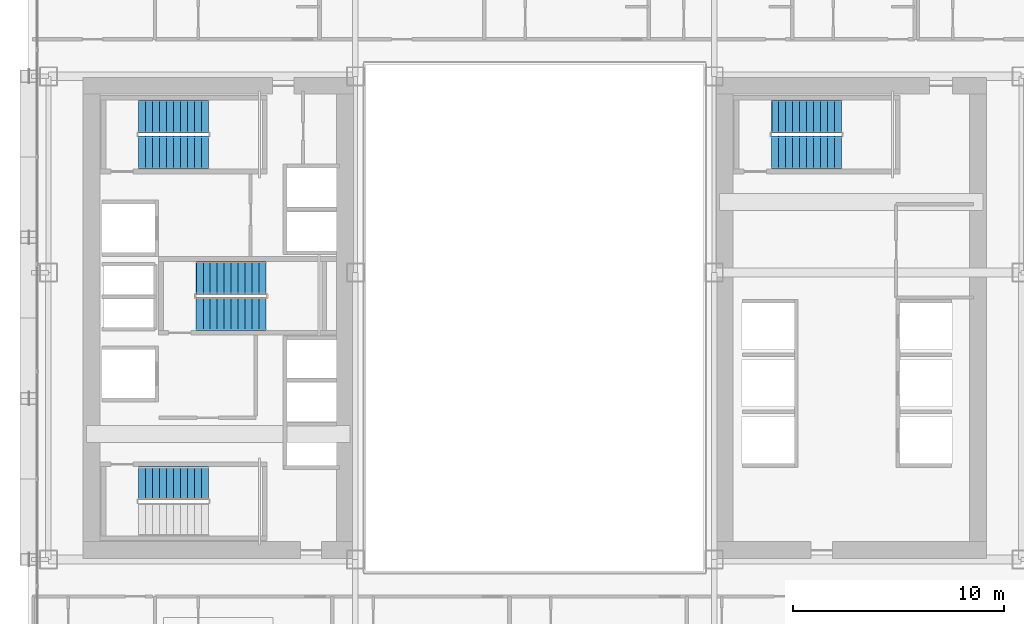
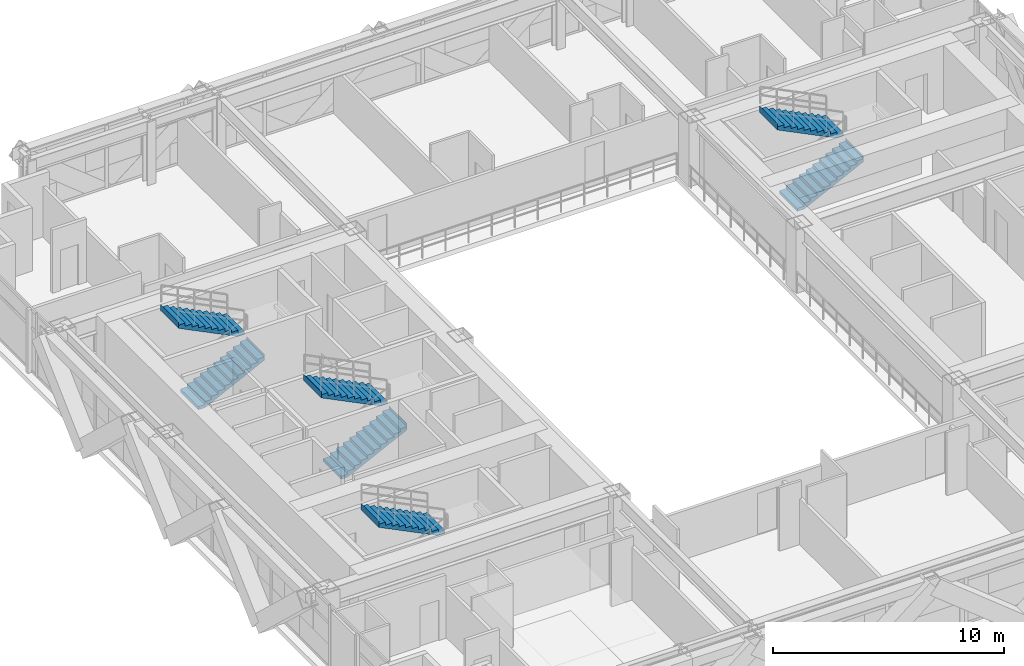
# One storey, part 34 of 38: 7 stair flights, 4 elements without a shape of their own.
"""IFC4 building model written with IfcOpenShell, lengths in metres."""

import ifcopenshell
import ifcopenshell.guid

model = None  # the IFC model being written
_history = None  # IfcOwnerHistory: only IFC2X3 demands one
_inside = {}  # id of a spatial element -> (the spatial element, [elements in it])
_under = {}  # id of a project, library or spatial element -> (it, [spatial elements below it])
_declared = {}  # id of a project -> (the project, [libraries it declares])
_typed = {}  # id of a type object -> (the type object, [elements of that type])
_made_of = {}  # id of a material, layer set ... -> (it, [elements and type objects made of it])


def new_model(schema):
    """Start an empty IFC model of exactly this schema.

    Asked for "IFC4X3", IfcOpenShell would pick the latest addendum, in which some entities
    have other attributes; the version numbers below select the first issue.
    IFC2X3 requires an IfcOwnerHistory on every rooted entity: one is made here for all.
    """
    global model, _history
    if schema == "IFC4X3":
        model = ifcopenshell.file(schema_version=(4, 3, 0, 0))
    else:
        model = ifcopenshell.file(schema=schema)
    _inside.clear()
    _under.clear()
    _declared.clear()
    _typed.clear()
    _made_of.clear()
    _history = None
    if model.schema == "IFC2X3":
        org = make("IfcOrganization", Name="unknown")
        user = make(
            "IfcPersonAndOrganization",
            ThePerson=make("IfcPerson", FamilyName="unknown"),
            TheOrganization=org,
        )
        app = make(
            "IfcApplication",
            ApplicationDeveloper=org,
            Version="unknown",
            ApplicationFullName="unknown",
            ApplicationIdentifier="unknown",
        )
        _history = make(
            "IfcOwnerHistory",
            OwningUser=user,
            OwningApplication=app,
            ChangeAction="ADDED",
            CreationDate=0,
        )
    return model


def make(cls, **values):
    """One entity of the class cls with the attributes given. An attribute that is None is left unset."""
    return model.create_entity(
        cls, **{name: value for name, value in values.items() if value is not None}
    )


def rooted(cls, **values):
    """An entity with a GlobalId (a new one), such as an element, a storey or a relation."""
    return make(cls, GlobalId=ifcopenshell.guid.new(), OwnerHistory=_history, **values)


def si_unit(unit_type, name, prefix=None):
    """IfcSIUnit, for example si_unit("LENGTHUNIT", "METRE", prefix="MILLI")."""
    return make("IfcSIUnit", UnitType=unit_type, Prefix=prefix, Name=name)


def assignment(units):
    """IfcUnitAssignment: the units of a project."""
    return None if units is None else make("IfcUnitAssignment", Units=units)


def point(xyz):
    """IfcCartesianPoint."""
    return None if xyz is None else make("IfcCartesianPoint", Coordinates=xyz)


def direction(xyz):
    """IfcDirection."""
    return None if xyz is None else make("IfcDirection", DirectionRatios=xyz)


def frame(location, z_axis=None, x_axis=None):
    """IfcAxis2Placement3D, a coordinate frame: its origin and axes. An axis left out is left unset."""
    return make(
        "IfcAxis2Placement3D",
        Location=point(location),
        Axis=direction(z_axis),
        RefDirection=direction(x_axis),
    )


def origin():
    """The frame at (0, 0, 0) with its axes left unset."""
    return frame((0.0, 0.0, 0.0))


def place(relative_to, where):
    """IfcLocalPlacement: puts the frame where relative to a parent placement (None: the world)."""
    return make(
        "IfcLocalPlacement", PlacementRelTo=relative_to, RelativePlacement=where
    )


def context(
    kind, dimensions, precision=None, world=None, true_north=None, identifier=None
):
    """IfcGeometricRepresentationContext, for example the 3D "Model" context."""
    return make(
        "IfcGeometricRepresentationContext",
        ContextIdentifier=identifier,
        ContextType=kind,
        CoordinateSpaceDimension=dimensions,
        Precision=precision,
        WorldCoordinateSystem=world,
        TrueNorth=true_north,
    )


def subcontext(parent, identifier, kind, view, scale=None):
    """IfcGeometricRepresentationSubContext, for example "Body" below "Model"."""
    return make(
        "IfcGeometricRepresentationSubContext",
        ContextIdentifier=identifier,
        ContextType=kind,
        ParentContext=parent,
        TargetScale=scale,
        TargetView=view,
    )


def project(units=None, contexts=None):
    """IfcProject with its units and contexts."""
    return rooted(
        "IfcProject",
        Name="project",
        RepresentationContexts=contexts,
        UnitsInContext=assignment(units),
    )


def spatial(cls, under=None, at=None, **own):
    """A site, building, storey or space (cls), placed at a placement, below another one or the project."""
    s = rooted(cls, ObjectPlacement=at, **own)
    if under is not None:
        _under.setdefault(under.id(), (under, []))[1].append(s)
    return s


def polyline(points):
    """IfcPolyline through the points."""
    return make("IfcPolyline", Points=[point(p) for p in points])


def outline(outer, holes=None, kind="AREA"):
    """IfcArbitraryClosedProfileDef: a profile drawn as a closed curve; with holes, ...WithVoids."""
    if holes is None:
        return make("IfcArbitraryClosedProfileDef", ProfileType=kind, OuterCurve=outer)
    return make(
        "IfcArbitraryProfileDefWithVoids",
        ProfileType=kind,
        OuterCurve=outer,
        InnerCurves=holes,
    )


def extrude(swept, where, along, depth):
    """IfcExtrudedAreaSolid: the profile swept, set in the frame where, extruded along a direction by depth."""
    return make(
        "IfcExtrudedAreaSolid",
        SweptArea=swept,
        Position=where,
        ExtrudedDirection=direction(along),
        Depth=depth,
    )


def shape(context_of_items, identifier, shape_type, items):
    """IfcShapeRepresentation: the items that make up one representation, for example the "Body"."""
    return make(
        "IfcShapeRepresentation",
        ContextOfItems=context_of_items,
        RepresentationIdentifier=identifier,
        RepresentationType=shape_type,
        Items=items,
    )


def source(mapping_origin, context_of_items, identifier, shape_type, items):
    """IfcRepresentationMap: a shape defined once, which mapped items show again and again."""
    return make(
        "IfcRepresentationMap",
        MappingOrigin=mapping_origin,
        MappedRepresentation=shape(context_of_items, identifier, shape_type, items),
    )


def transform(
    local_origin,
    x_axis=None,
    y_axis=None,
    z_axis=None,
    scale=None,
    scale2=None,
    scale3=None,
    uniform=True,
):
    """IfcCartesianTransformationOperator3D, or its non-uniform kind. x_axis, y_axis, z_axis: its Axis1, 2, 3."""
    if uniform:
        return make(
            "IfcCartesianTransformationOperator3D",
            Axis1=direction(x_axis),
            Axis2=direction(y_axis),
            LocalOrigin=point(local_origin),
            Scale=scale,
            Axis3=direction(z_axis),
        )
    return make(
        "IfcCartesianTransformationOperator3DnonUniform",
        Axis1=direction(x_axis),
        Axis2=direction(y_axis),
        LocalOrigin=point(local_origin),
        Scale=scale,
        Axis3=direction(z_axis),
        Scale2=scale2,
        Scale3=scale3,
    )


def mapped(mapping_source, mapping_target):
    """IfcMappedItem: shows the shape of a source again, moved by a transform."""
    return make(
        "IfcMappedItem", MappingSource=mapping_source, MappingTarget=mapping_target
    )


def material(Name=None, Category=None):
    """IfcMaterial."""
    return make("IfcMaterial", Name=Name, Category=Category)


def made_of(thing, what):
    """Note that an element or type object is made of a material, layer set ...; save() writes the relation."""
    if what is not None:
        _made_of.setdefault(what.id(), (what, []))[1].append(thing)
    return thing


def type_object(cls, material=None, **own):
    """A type object (cls), such as IfcWallType, which elements share."""
    return made_of(rooted(cls, **own), material)


def element(
    cls,
    number,
    at=None,
    inside=None,
    cuts=None,
    type_object=None,
    material=None,
    context=None,
    identifier="Body",
    shape_type=None,
    held_by="IfcProductDefinitionShape",
    body=None,
    shapes=None,
    **own,
):
    """One element of the class cls, such as IfcWall. Its Tag is "e" and its number.

    at: its placement. inside: the storey or other place that contains it. cuts: it is an
    opening in that element (IfcRelVoidsElement). A single representation is given by context,
    identifier, shape_type and body (its items); several are given by shapes. held_by: the class
    of the entity that holds the representations. save() writes the other relations.
    """
    e = rooted(cls, Tag="e%d" % number, ObjectPlacement=at, **own)
    if body is not None:
        shapes = [shape(context, identifier, shape_type, body)]
    if shapes is not None:
        e.Representation = make(held_by, Representations=shapes)
    if inside is not None:
        _inside.setdefault(inside.id(), (inside, []))[1].append(e)
    if cuts is not None:
        rooted(
            "IfcRelVoidsElement", RelatingBuildingElement=cuts, RelatedOpeningElement=e
        )
    if type_object is not None:
        _typed.setdefault(type_object.id(), (type_object, []))[1].append(e)
    return made_of(e, material)


def aggregate(whole, parts):
    """IfcRelAggregates: a whole, such as a stair, and the parts it consists of."""
    return rooted("IfcRelAggregates", RelatingObject=whole, RelatedObjects=parts)


def save(model, path):
    """Write the relations noted so far, then the file.

    IfcRelAggregates (storeys below a building ...), IfcRelContainedInSpatialStructure (elements
    in a storey), IfcRelDefinesByType, IfcRelAssociatesMaterial and IfcRelDeclares: one each for
    every whole, place, type object, material and project.
    """
    for whole, parts in _under.values():
        aggregate(whole, parts)
    for where, things in _inside.values():
        rooted(
            "IfcRelContainedInSpatialStructure",
            RelatedElements=things,
            RelatingStructure=where,
        )
    for kind, things in _typed.values():
        rooted("IfcRelDefinesByType", RelatedObjects=things, RelatingType=kind)
    for what, things in _made_of.values():
        rooted("IfcRelAssociatesMaterial", RelatedObjects=things, RelatingMaterial=what)
    for by, libraries in _declared.values():
        rooted("IfcRelDeclares", RelatingContext=by, RelatedDefinitions=libraries)
    model.write(path)


model = new_model("IFC4")

# Units and contexts
model_context = context("Model", 3, precision=1e-05, world=origin(), true_north=direction((0.0, 1.0)))
body_context = subcontext(model_context, "Body", "Model", "MODEL_VIEW")
ifc_project = project(units=[si_unit("LENGTHUNIT", "METRE"), si_unit("AREAUNIT", "SQUARE_METRE"), si_unit("VOLUMEUNIT", "CUBIC_METRE"), si_unit("PLANEANGLEUNIT", "RADIAN"), si_unit("MASSUNIT", "GRAM", prefix="KILO")], contexts=[model_context])

# Site, building, storey
site_placement = place(None, origin())
site = spatial("IfcSite", under=ifc_project, at=site_placement, CompositionType="ELEMENT")
building_placement = place(site_placement, origin())
building = spatial("IfcBuilding", under=site, at=building_placement, Name="Ocotamira Hotel", CompositionType="ELEMENT")
storey_placement = place(building_placement, frame((0.0, 0.0, 60.0)))
storey = spatial("IfcBuildingStorey", under=building, at=storey_placement, Name="L14", CompositionType="ELEMENT", Elevation=60.0)

# Stair, stair flight
ifc_material = material(Name="Concrete C40/50", Category="concrete")
stair_type = type_object("IfcStairType", Name="ST-CORE-1560", PredefinedType="HALF_TURN_STAIR", material=ifc_material)
stair_1_placement = place(storey_placement, origin())
stair_1 = element("IfcStair", 1, at=stair_1_placement, inside=storey, type_object=stair_type, Name="L14 Exit Stair ST-1", PredefinedType="HALF_TURN_STAIR")
stair_flight_type = type_object("IfcStairFlightType", Name="STF-CORE-1560", PredefinedType="STRAIGHT", material=ifc_material)
shared_shape = source(origin(), body_context, "Body", "SweptSolid", [
    extrude(outline(polyline([(-0.00390625, 0.0), (-0.00390625, 0.16357421875), (0.330078125, 0.16357421875), (0.330078125, 0.327392578125), (0.659912109375, 0.327392578125), (0.659912109375, 0.490966796875), (0.989990234375, 0.490966796875), (0.989990234375, 0.654541015625), (1.320068359375, 0.654541015625), (1.320068359375, 0.818115234375), (1.64990234375, 0.818115234375), (1.64990234375, 0.98193359375), (1.97998046875, 0.98193359375), (1.97998046875, 1.1455078125), (2.31005859375, 1.1455078125), (2.31005859375, 1.30908203125), (2.639892578125, 1.30908203125), (2.639892578125, 1.47265625), (2.969970703125, 1.47265625), (2.969970703125, 1.636474609375), (3.300048828125, 1.636474609375), (3.300048828125, 1.800048828125), (3.303955078125, 1.800048828125), (3.303955078125, 1.468994140625), (0.33740234375, 0.0), (-0.00390625, 0.0)])), frame((0.0, 0.780029296875, 0.0), z_axis=(0.0, -1.0, 0.0), x_axis=(1.0, 0.0, 0.0)), (0.0, 0.0, 1.0), 1.56005859375),
])
stair_flight_1_placement = place(storey_placement, frame((16.530029296875, 18.169921875, 1.800048828125), z_axis=(0.0, 0.0, 1.0), x_axis=(-1.0, 0.0, 0.0)))
stair_flight_1 = element("IfcStairFlight", 2, at=stair_flight_1_placement, type_object=stair_flight_type, Name="ST-1 flight 2", NumberOfRisers=11, NumberOfTreads=10, PredefinedType="STRAIGHT", RiserHeight=0.163636364, TreadLength=0.33, context=body_context, shape_type="MappedRepresentation", body=[
    mapped(shared_shape, transform((0.0, 0.0, 0.0), scale=1.0)),
])
aggregate(stair_1, [stair_flight_1])

# Stair, stair flights
stair_2_placement = place(storey_placement, origin())
stair_2 = element("IfcStair", 3, at=stair_2_placement, inside=storey, type_object=stair_type, Name="L14 Exit Stair ST-2", PredefinedType="HALF_TURN_STAIR")
stair_flight_2_placement = place(storey_placement, frame((13.22998046875, 33.830078125, 0.0), z_axis=(0.0, 0.0, 1.0), x_axis=(1.0, 0.0, 0.0)))
stair_flight_2 = element("IfcStairFlight", 4, at=stair_flight_2_placement, type_object=stair_flight_type, Name="ST-2 flight 1", NumberOfRisers=11, NumberOfTreads=10, PredefinedType="STRAIGHT", RiserHeight=0.163636364, TreadLength=0.33, context=body_context, shape_type="MappedRepresentation", body=[
    mapped(shared_shape, transform((0.0, 0.0, 0.0), scale=1.0)),
])
stair_flight_3_placement = place(storey_placement, frame((16.530029296875, 35.550048828125, 1.800048828125), z_axis=(0.0, 0.0, 1.0), x_axis=(-1.0, 0.0, 0.0)))
stair_flight_3 = element("IfcStairFlight", 5, at=stair_flight_3_placement, type_object=stair_flight_type, Name="ST-2 flight 2", NumberOfRisers=11, NumberOfTreads=10, PredefinedType="STRAIGHT", RiserHeight=0.163636364, TreadLength=0.33, context=body_context, shape_type="MappedRepresentation", body=[
    mapped(shared_shape, transform((0.0, 0.0, 0.0), scale=1.0)),
])
aggregate(stair_2, [stair_flight_2, stair_flight_3])

stair_3_placement = place(storey_placement, origin())
stair_3 = element("IfcStair", 6, at=stair_3_placement, inside=storey, type_object=stair_type, Name="L14 Exit Stair ST-3", PredefinedType="HALF_TURN_STAIR")
stair_flight_4_placement = place(storey_placement, frame((15.9599609375, 26.179931640625, 0.0), z_axis=(0.0, 0.0, 1.0), x_axis=(1.0, 0.0, 0.0)))
stair_flight_4 = element("IfcStairFlight", 7, at=stair_flight_4_placement, type_object=stair_flight_type, Name="ST-3 flight 1", NumberOfRisers=11, NumberOfTreads=10, PredefinedType="STRAIGHT", RiserHeight=0.163636364, TreadLength=0.33, context=body_context, shape_type="MappedRepresentation", body=[
    mapped(shared_shape, transform((0.0, 0.0, 0.0), scale=1.0)),
])
stair_flight_5_placement = place(storey_placement, frame((19.260009765625, 27.89990234375, 1.800048828125), z_axis=(0.0, 0.0, 1.0), x_axis=(-1.0, 0.0, 0.0)))
stair_flight_5 = element("IfcStairFlight", 8, at=stair_flight_5_placement, type_object=stair_flight_type, Name="ST-3 flight 2", NumberOfRisers=11, NumberOfTreads=10, PredefinedType="STRAIGHT", RiserHeight=0.163636364, TreadLength=0.33, context=body_context, shape_type="MappedRepresentation", body=[
    mapped(shared_shape, transform((0.0, 0.0, 0.0), scale=1.0)),
])
aggregate(stair_3, [stair_flight_4, stair_flight_5])

stair_4_placement = place(storey_placement, origin())
stair_4 = element("IfcStair", 9, at=stair_4_placement, inside=storey, type_object=stair_type, Name="L14 Exit Stair ST-4", PredefinedType="HALF_TURN_STAIR")
stair_flight_6_placement = place(storey_placement, frame((43.22998046875, 33.830078125, 0.0), z_axis=(0.0, 0.0, 1.0), x_axis=(1.0, 0.0, 0.0)))
stair_flight_6 = element("IfcStairFlight", 10, at=stair_flight_6_placement, type_object=stair_flight_type, Name="ST-4 flight 1", NumberOfRisers=11, NumberOfTreads=10, PredefinedType="STRAIGHT", RiserHeight=0.163636364, TreadLength=0.33, context=body_context, shape_type="MappedRepresentation", body=[
    mapped(shared_shape, transform((0.0, 0.0, 0.0), scale=1.0)),
])
stair_flight_7_placement = place(storey_placement, frame((46.530029296875, 35.550048828125, 1.800048828125), z_axis=(0.0, 0.0, 1.0), x_axis=(-1.0, 0.0, 0.0)))
stair_flight_7 = element("IfcStairFlight", 11, at=stair_flight_7_placement, type_object=stair_flight_type, Name="ST-4 flight 2", NumberOfRisers=11, NumberOfTreads=10, PredefinedType="STRAIGHT", RiserHeight=0.163636364, TreadLength=0.33, context=body_context, shape_type="MappedRepresentation", body=[
    mapped(shared_shape, transform((0.0, 0.0, 0.0), scale=1.0)),
])
aggregate(stair_4, [stair_flight_6, stair_flight_7])

save(model, "model.ifc")
